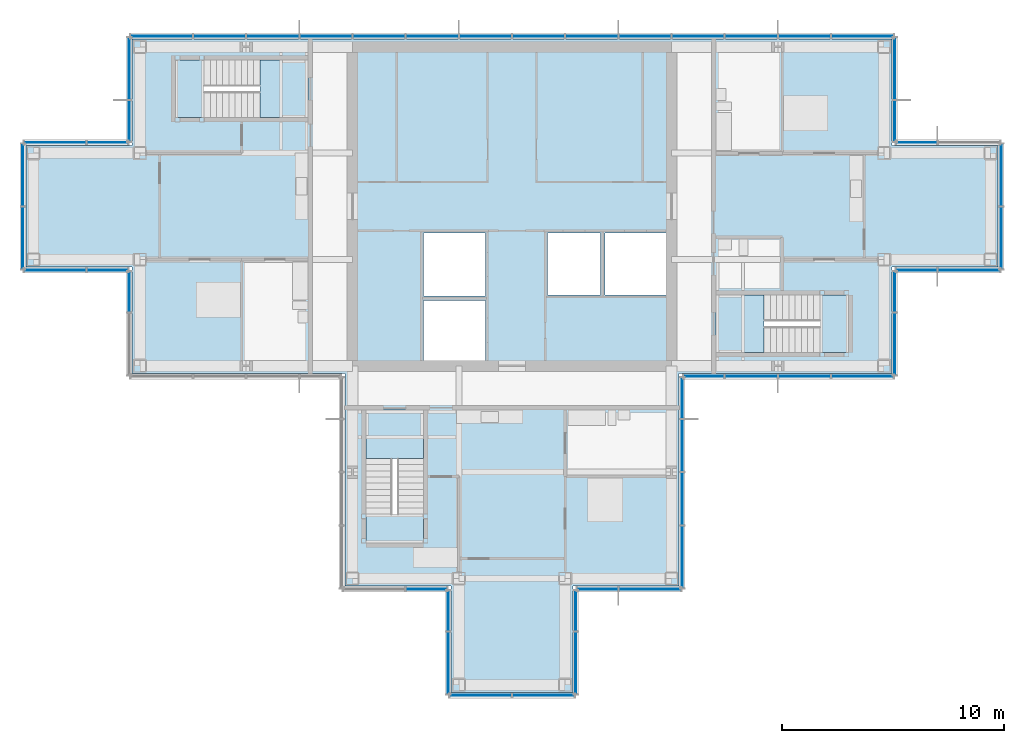
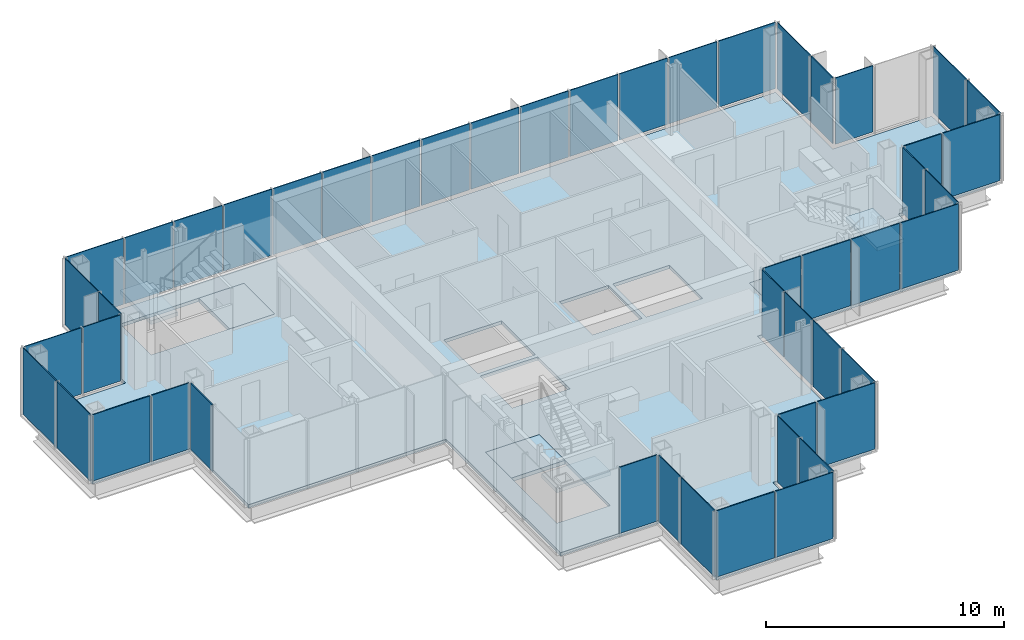
# One storey, part 9 of 15: 49 plates, 7 slabs, 21 elements without a shape of their own.
"""IFC4 building model written with IfcOpenShell, lengths in metres."""

from ifc_helpers import new_model, si_unit, direction, frame, origin, origin_2d, place, context, subcontext, project, spatial, polyline, rectangle, outline, extrude, material, layer, layer_set, type_object, element, aggregate, save


model = new_model("IFC4")

# Units and contexts
model_context = context("Model", 3, precision=1e-05, world=origin(), true_north=direction((0.0, 1.0)))
body_context = subcontext(model_context, "Body", "Model", "MODEL_VIEW")
ifc_project = project(units=[si_unit("LENGTHUNIT", "METRE"), si_unit("AREAUNIT", "SQUARE_METRE"), si_unit("VOLUMEUNIT", "CUBIC_METRE"), si_unit("PLANEANGLEUNIT", "RADIAN"), si_unit("MASSUNIT", "GRAM", prefix="KILO")], contexts=[model_context])

# Site, building, storey
site_placement = place(None, origin())
site = spatial("IfcSite", under=ifc_project, at=site_placement, CompositionType="ELEMENT")
building_placement = place(site_placement, origin())
building = spatial("IfcBuilding", under=site, at=building_placement, Name="Kvirike Care Tower", CompositionType="ELEMENT")
storey_placement = place(building_placement, frame((0.0, 0.0, 201.5)))
storey = spatial("IfcBuildingStorey", under=building, at=storey_placement, Name="L55", CompositionType="ELEMENT", Elevation=201.5)

# Slab
ifc_material_1 = material(Name="Concrete C35/45", Category="concrete")
ifc_layer_1 = layer(ifc_material_1, 0.169921875)
ifc_layer_set_1 = layer_set([ifc_layer_1], Name="FLOOR SLAB 170")
slab_type_1 = type_object("IfcSlabType", Name="FLOOR SLAB 170", PredefinedType="FLOOR", material=ifc_layer_set_1)
slab_1_placement = place(storey_placement, frame((0.0, 0.0, -0.169921875)))
element("IfcSlab", 1, at=slab_1_placement, inside=storey, type_object=slab_type_1, Name="Floor slab L55", PredefinedType="FLOOR", context=body_context, shape_type="SweptSolid", body=[
    extrude(outline(polyline([(29.14990234375, 28.449951171875), (38.75, 28.449951171875), (38.75, 33.25), (43.550048828125, 33.25), (43.550048828125, 38.75), (38.75, 38.75), (38.75, 43.550048828125), (4.449951171875, 43.550048828125), (4.449951171875, 38.75), (-0.35009765625, 38.75), (-0.35009765625, 33.25), (4.449951171875, 33.25), (4.449951171875, 28.449951171875), (14.050048828125, 28.449951171875), (14.050048828125, 18.85009765625), (18.85009765625, 18.85009765625), (18.85009765625, 14.050048828125), (24.35009765625, 14.050048828125), (24.35009765625, 18.85009765625), (29.14990234375, 18.85009765625), (29.14990234375, 28.449951171875)]), holes=[polyline([(17.60009765625, 29.050048828125), (17.60009765625, 31.75), (20.39990234375, 31.75), (20.39990234375, 29.050048828125), (17.60009765625, 29.050048828125)]), polyline([(17.60009765625, 31.949951171875), (17.60009765625, 34.800048828125), (20.39990234375, 34.800048828125), (20.39990234375, 31.949951171875), (17.60009765625, 31.949951171875)]), polyline([(23.199951171875, 32.0), (23.199951171875, 34.800048828125), (25.60009765625, 34.800048828125), (25.60009765625, 32.0), (23.199951171875, 32.0)]), polyline([(25.800048828125, 32.0), (25.800048828125, 34.800048828125), (28.550048828125, 34.800048828125), (28.550048828125, 32.0), (25.800048828125, 32.0)]), polyline([(12.39990234375, 42.60009765625), (12.39990234375, 40.0), (6.39990234375, 40.0), (6.39990234375, 42.60009765625), (12.39990234375, 42.60009765625)]), polyline([(30.800048828125, 29.39990234375), (30.800048828125, 32.0), (36.800048828125, 32.0), (36.800048828125, 29.39990234375), (30.800048828125, 29.39990234375)]), polyline([(15.0, 26.800048828125), (17.60009765625, 26.800048828125), (17.60009765625, 20.800048828125), (15.0, 20.800048828125), (15.0, 26.800048828125)])]), origin(), (0.0, 0.0, 1.0), 0.169921875),
])

# Stair, slabs
ifc_material_2 = material(Name="Concrete C35/45", Category="concrete")
stair_type = type_object("IfcStairType", Name="STAIR 20 RISERS", PredefinedType="HALF_TURN_STAIR", material=ifc_material_2)
stair_1_placement = place(storey_placement, origin())
stair_1 = element("IfcStair", 2, at=stair_1_placement, inside=storey, type_object=stair_type, Name="Stair 1 L55", PredefinedType="HALF_TURN_STAIR")
ifc_material_3 = material(Name="Concrete C35/45", Category="concrete")
ifc_layer_2 = layer(ifc_material_3, 0.199951171875)
ifc_layer_set_2 = layer_set([ifc_layer_2], Name="STAIR LANDING 200")
slab_type_2 = type_object("IfcSlabType", Name="STAIR LANDING 200", PredefinedType="LANDING", material=ifc_layer_set_2)
slab_2_placement = place(storey_placement, frame((0.0, 0.0, -0.199951171875)))
slab_2 = element("IfcSlab", 3, at=slab_2_placement, type_object=slab_type_2, Name="Stair S1 floor landing L55", PredefinedType="LANDING", context=body_context, shape_type="SweptSolid", body=[
    extrude(outline(polyline([(10.219970703125, 42.60009765625), (10.219970703125, 40.0), (12.39990234375, 40.0), (12.39990234375, 42.60009765625), (10.219970703125, 42.60009765625)])), origin(), (0.0, 0.0, 1.0), 0.199951171875),
])
slab_3_placement = place(storey_placement, frame((0.0, 0.0, 1.550048828125)))
slab_3 = element("IfcSlab", 4, at=slab_3_placement, type_object=slab_type_2, Name="Stair S1 half landing L55-L56", PredefinedType="LANDING", context=body_context, shape_type="SweptSolid", body=[
    extrude(outline(polyline([(6.39990234375, 42.60009765625), (6.39990234375, 40.0), (7.699951171875, 40.0), (7.699951171875, 42.60009765625), (6.39990234375, 42.60009765625)])), origin(), (0.0, 0.0, 1.0), 0.199951171875),
])
aggregate(stair_1, [slab_2, slab_3])

stair_2_placement = place(storey_placement, origin())
stair_2 = element("IfcStair", 5, at=stair_2_placement, inside=storey, type_object=stair_type, Name="Stair 2 L55", PredefinedType="HALF_TURN_STAIR")
slab_4_placement = place(storey_placement, frame((0.0, 0.0, -0.199951171875)))
slab_4 = element("IfcSlab", 6, at=slab_4_placement, type_object=slab_type_2, Name="Stair S2 floor landing L55", PredefinedType="LANDING", context=body_context, shape_type="SweptSolid", body=[
    extrude(outline(polyline([(32.97998046875, 29.39990234375), (32.97998046875, 32.0), (30.800048828125, 32.0), (30.800048828125, 29.39990234375), (32.97998046875, 29.39990234375)])), origin(), (0.0, 0.0, 1.0), 0.199951171875),
])
slab_5_placement = place(storey_placement, frame((0.0, 0.0, 1.550048828125)))
slab_5 = element("IfcSlab", 7, at=slab_5_placement, type_object=slab_type_2, Name="Stair S2 half landing L55-L56", PredefinedType="LANDING", context=body_context, shape_type="SweptSolid", body=[
    extrude(outline(polyline([(36.800048828125, 29.39990234375), (36.800048828125, 32.0), (35.5, 32.0), (35.5, 29.39990234375), (36.800048828125, 29.39990234375)])), origin(), (0.0, 0.0, 1.0), 0.199951171875),
])
aggregate(stair_2, [slab_4, slab_5])

stair_3_placement = place(storey_placement, origin())
stair_3 = element("IfcStair", 8, at=stair_3_placement, inside=storey, type_object=stair_type, Name="Stair 5 L55", PredefinedType="HALF_TURN_STAIR")
slab_6_placement = place(storey_placement, frame((0.0, 0.0, -0.199951171875)))
slab_6 = element("IfcSlab", 9, at=slab_6_placement, type_object=slab_type_2, Name="Stair S5 floor landing L55", PredefinedType="LANDING", context=body_context, shape_type="SweptSolid", body=[
    extrude(outline(polyline([(15.0, 24.6201171875), (17.60009765625, 24.6201171875), (17.60009765625, 26.800048828125), (15.0, 26.800048828125), (15.0, 24.6201171875)])), origin(), (0.0, 0.0, 1.0), 0.199951171875),
])
slab_7_placement = place(storey_placement, frame((0.0, 0.0, 1.550048828125)))
slab_7 = element("IfcSlab", 10, at=slab_7_placement, type_object=slab_type_2, Name="Stair S5 half landing L55-L56", PredefinedType="LANDING", context=body_context, shape_type="SweptSolid", body=[
    extrude(outline(polyline([(15.0, 20.800048828125), (17.60009765625, 20.800048828125), (17.60009765625, 22.10009765625), (15.0, 22.10009765625), (15.0, 20.800048828125)])), origin(), (0.0, 0.0, 1.0), 0.199951171875),
])
aggregate(stair_3, [slab_6, slab_7])

# Curtain wall, plates
ifc_material_4 = material(Name="Anodised aluminium stick system", Category="aluminium")
curtain_wall_type = type_object("IfcCurtainWallType", Name="CW-D STICK CURTAIN WALL", PredefinedType="NOTDEFINED", material=ifc_material_4)
curtain_wall_1_placement = place(storey_placement, origin())
curtain_wall_1 = element("IfcCurtainWall", 11, at=curtain_wall_1_placement, inside=storey, type_object=curtain_wall_type, Name="Curtain wall L55 face 1", PredefinedType="NOTDEFINED")
ifc_material_5 = material(Name="Tinted double glazed unit", Category="glass")
ifc_layer_3 = layer(ifc_material_5, 0.0439453125)
ifc_layer_set_3 = layer_set([ifc_layer_3], Name="TINTED VISION PANEL 44")
plate_type = type_object("IfcPlateType", Name="TINTED VISION PANEL 44", PredefinedType="CURTAIN_PANEL", material=ifc_layer_set_3)
plate_1_placement = place(storey_placement, frame((30.25634765625, 28.320068359375, 0.10009765625), z_axis=(0.0, 0.0, 1.0), x_axis=(1.0, 0.0, 0.0)))
plate_1 = element("IfcPlate", 12, at=plate_1_placement, type_object=plate_type, Name="CW-D panel L55 face 1.1", PredefinedType="CURTAIN_PANEL", context=body_context, shape_type="SweptSolid", body=[
    extrude(rectangle(XDim=1.822509765625, YDim=0.0439453125, at=origin_2d()), origin(), (0.0, 0.0, 1.0), 3.39990234375),
])
plate_2_placement = place(storey_placement, frame((32.39990234375, 28.320068359375, 0.10009765625), z_axis=(0.0, 0.0, 1.0), x_axis=(1.0, 0.0, 0.0)))
plate_2 = element("IfcPlate", 13, at=plate_2_placement, type_object=plate_type, Name="CW-D panel L55 face 1.2", PredefinedType="CURTAIN_PANEL", context=body_context, shape_type="SweptSolid", body=[
    extrude(rectangle(XDim=2.3349609375, YDim=0.0439453125, at=origin_2d()), origin(), (0.0, 0.0, 1.0), 3.39990234375),
])
plate_3_placement = place(storey_placement, frame((34.800048828125, 28.320068359375, 0.10009765625), z_axis=(0.0, 0.0, 1.0), x_axis=(1.0, 0.0, 0.0)))
plate_3 = element("IfcPlate", 14, at=plate_3_placement, type_object=plate_type, Name="CW-D panel L55 face 1.3", PredefinedType="CURTAIN_PANEL", context=body_context, shape_type="SweptSolid", body=[
    extrude(rectangle(XDim=2.3349609375, YDim=0.0439453125, at=origin_2d()), origin(), (0.0, 0.0, 1.0), 3.39990234375),
])
plate_4_placement = place(storey_placement, frame((37.423828125, 28.320068359375, 0.10009765625), z_axis=(0.0, 0.0, 1.0), x_axis=(1.0, 0.0, 0.0)))
plate_4 = element("IfcPlate", 15, at=plate_4_placement, type_object=plate_type, Name="CW-D panel L55 face 1.4", PredefinedType="CURTAIN_PANEL", context=body_context, shape_type="SweptSolid", body=[
    extrude(rectangle(XDim=2.782470703125, YDim=0.0439453125, at=origin_2d()), origin(), (0.0, 0.0, 1.0), 3.39990234375),
])
aggregate(curtain_wall_1, [plate_1, plate_2, plate_3, plate_4])

curtain_wall_2_placement = place(storey_placement, origin())
curtain_wall_2 = element("IfcCurtainWall", 16, at=curtain_wall_2_placement, inside=storey, type_object=curtain_wall_type, Name="Curtain wall L55 face 2", PredefinedType="NOTDEFINED")
plate_5_placement = place(storey_placement, frame((38.8798828125, 29.7763671875, 0.10009765625), z_axis=(0.0, 0.0, 1.0), x_axis=(0.0, 1.0, 0.0)))
plate_5 = element("IfcPlate", 17, at=plate_5_placement, type_object=plate_type, Name="CW-D panel L55 face 2.1", PredefinedType="CURTAIN_PANEL", context=body_context, shape_type="SweptSolid", body=[
    extrude(rectangle(XDim=2.782470703125, YDim=0.0439453125, at=origin_2d()), origin(), (0.0, 0.0, 1.0), 3.39990234375),
])
plate_6_placement = place(storey_placement, frame((38.8798828125, 32.143798828125, 0.10009765625), z_axis=(0.0, 0.0, 1.0), x_axis=(0.0, 1.0, 0.0)))
plate_6 = element("IfcPlate", 18, at=plate_6_placement, type_object=plate_type, Name="CW-D panel L55 face 2.2", PredefinedType="CURTAIN_PANEL", context=body_context, shape_type="SweptSolid", body=[
    extrude(rectangle(XDim=1.822509765625, YDim=0.0439453125, at=origin_2d()), origin(), (0.0, 0.0, 1.0), 3.39990234375),
])
aggregate(curtain_wall_2, [plate_5, plate_6])

curtain_wall_3_placement = place(storey_placement, origin())
curtain_wall_3 = element("IfcCurtainWall", 19, at=curtain_wall_3_placement, inside=storey, type_object=curtain_wall_type, Name="Curtain wall L55 face 3", PredefinedType="NOTDEFINED")
plate_7_placement = place(storey_placement, frame((39.856201171875, 33.1201171875, 0.10009765625), z_axis=(0.0, 0.0, 1.0), x_axis=(1.0, 0.0, 0.0)))
plate_7 = element("IfcPlate", 20, at=plate_7_placement, type_object=plate_type, Name="CW-D panel L55 face 3.1", PredefinedType="CURTAIN_PANEL", context=body_context, shape_type="SweptSolid", body=[
    extrude(rectangle(XDim=1.822509765625, YDim=0.0439453125, at=origin_2d()), origin(), (0.0, 0.0, 1.0), 3.39990234375),
])
plate_8_placement = place(storey_placement, frame((42.2236328125, 33.1201171875, 0.10009765625), z_axis=(0.0, 0.0, 1.0), x_axis=(1.0, 0.0, 0.0)))
plate_8 = element("IfcPlate", 21, at=plate_8_placement, type_object=plate_type, Name="CW-D panel L55 face 3.2", PredefinedType="CURTAIN_PANEL", context=body_context, shape_type="SweptSolid", body=[
    extrude(rectangle(XDim=2.782470703125, YDim=0.0439453125, at=origin_2d()), origin(), (0.0, 0.0, 1.0), 3.39990234375),
])
aggregate(curtain_wall_3, [plate_7, plate_8])

curtain_wall_4_placement = place(storey_placement, origin())
curtain_wall_4 = element("IfcCurtainWall", 22, at=curtain_wall_4_placement, inside=storey, type_object=curtain_wall_type, Name="Curtain wall L55 face 4", PredefinedType="NOTDEFINED")
plate_9_placement = place(storey_placement, frame((43.679931640625, 34.576171875, 0.10009765625), z_axis=(0.0, 0.0, 1.0), x_axis=(0.0, 1.0, 0.0)))
plate_9 = element("IfcPlate", 23, at=plate_9_placement, type_object=plate_type, Name="CW-D panel L55 face 4.1", PredefinedType="CURTAIN_PANEL", context=body_context, shape_type="SweptSolid", body=[
    extrude(rectangle(XDim=2.782470703125, YDim=0.0439453125, at=origin_2d()), origin(), (0.0, 0.0, 1.0), 3.39990234375),
])
plate_10_placement = place(storey_placement, frame((43.679931640625, 37.423828125, 0.10009765625), z_axis=(0.0, 0.0, 1.0), x_axis=(0.0, 1.0, 0.0)))
plate_10 = element("IfcPlate", 24, at=plate_10_placement, type_object=plate_type, Name="CW-D panel L55 face 4.2", PredefinedType="CURTAIN_PANEL", context=body_context, shape_type="SweptSolid", body=[
    extrude(rectangle(XDim=2.782470703125, YDim=0.0439453125, at=origin_2d()), origin(), (0.0, 0.0, 1.0), 3.39990234375),
])
aggregate(curtain_wall_4, [plate_9, plate_10])

# Curtain wall, plate
curtain_wall_5_placement = place(storey_placement, origin())
curtain_wall_5 = element("IfcCurtainWall", 25, at=curtain_wall_5_placement, inside=storey, type_object=curtain_wall_type, Name="Curtain wall L55 face 5", PredefinedType="NOTDEFINED")
plate_11_placement = place(storey_placement, frame((39.856201171875, 38.8798828125, 0.10009765625), z_axis=(0.0, 0.0, 1.0), x_axis=(-1.0, 0.0, 0.0)))
plate_11 = element("IfcPlate", 26, at=plate_11_placement, type_object=plate_type, Name="CW-D panel L55 face 5.2", PredefinedType="CURTAIN_PANEL", context=body_context, shape_type="SweptSolid", body=[
    extrude(rectangle(XDim=1.822509765625, YDim=0.0439453125, at=origin_2d()), origin(), (0.0, 0.0, 1.0), 3.39990234375),
])
aggregate(curtain_wall_5, [plate_11])

# Curtain wall, plates
curtain_wall_6_placement = place(storey_placement, origin())
curtain_wall_6 = element("IfcCurtainWall", 27, at=curtain_wall_6_placement, inside=storey, type_object=curtain_wall_type, Name="Curtain wall L55 face 6", PredefinedType="NOTDEFINED")
plate_12_placement = place(storey_placement, frame((38.8798828125, 39.856201171875, 0.10009765625), z_axis=(0.0, 0.0, 1.0), x_axis=(0.0, 1.0, 0.0)))
plate_12 = element("IfcPlate", 28, at=plate_12_placement, type_object=plate_type, Name="CW-D panel L55 face 6.1", PredefinedType="CURTAIN_PANEL", context=body_context, shape_type="SweptSolid", body=[
    extrude(rectangle(XDim=1.822509765625, YDim=0.0439453125, at=origin_2d()), origin(), (0.0, 0.0, 1.0), 3.39990234375),
])
plate_13_placement = place(storey_placement, frame((38.8798828125, 42.2236328125, 0.10009765625), z_axis=(0.0, 0.0, 1.0), x_axis=(0.0, 1.0, 0.0)))
plate_13 = element("IfcPlate", 29, at=plate_13_placement, type_object=plate_type, Name="CW-D panel L55 face 6.2", PredefinedType="CURTAIN_PANEL", context=body_context, shape_type="SweptSolid", body=[
    extrude(rectangle(XDim=2.782470703125, YDim=0.0439453125, at=origin_2d()), origin(), (0.0, 0.0, 1.0), 3.39990234375),
])
aggregate(curtain_wall_6, [plate_12, plate_13])

curtain_wall_7_placement = place(storey_placement, origin())
curtain_wall_7 = element("IfcCurtainWall", 30, at=curtain_wall_7_placement, inside=storey, type_object=curtain_wall_type, Name="Curtain wall L55 face 7", PredefinedType="NOTDEFINED")
plate_14_placement = place(storey_placement, frame((37.423828125, 43.679931640625, 0.10009765625), z_axis=(0.0, 0.0, 1.0), x_axis=(-1.0, 0.0, 0.0)))
plate_14 = element("IfcPlate", 31, at=plate_14_placement, type_object=plate_type, Name="CW-D panel L55 face 7.1", PredefinedType="CURTAIN_PANEL", context=body_context, shape_type="SweptSolid", body=[
    extrude(rectangle(XDim=2.782470703125, YDim=0.0439453125, at=origin_2d()), origin(), (0.0, 0.0, 1.0), 3.39990234375),
])
plate_15_placement = place(storey_placement, frame((34.800048828125, 43.679931640625, 0.10009765625), z_axis=(0.0, 0.0, 1.0), x_axis=(-1.0, 0.0, 0.0)))
plate_15 = element("IfcPlate", 32, at=plate_15_placement, type_object=plate_type, Name="CW-D panel L55 face 7.2", PredefinedType="CURTAIN_PANEL", context=body_context, shape_type="SweptSolid", body=[
    extrude(rectangle(XDim=2.3349609375, YDim=0.0439453125, at=origin_2d()), origin(), (0.0, 0.0, 1.0), 3.39990234375),
])
plate_16_placement = place(storey_placement, frame((32.39990234375, 43.679931640625, 0.10009765625), z_axis=(0.0, 0.0, 1.0), x_axis=(-1.0, 0.0, 0.0)))
plate_16 = element("IfcPlate", 33, at=plate_16_placement, type_object=plate_type, Name="CW-D panel L55 face 7.3", PredefinedType="CURTAIN_PANEL", context=body_context, shape_type="SweptSolid", body=[
    extrude(rectangle(XDim=2.3349609375, YDim=0.0439453125, at=origin_2d()), origin(), (0.0, 0.0, 1.0), 3.39990234375),
])
plate_17_placement = place(storey_placement, frame((30.0, 43.679931640625, 0.10009765625), z_axis=(0.0, 0.0, 1.0), x_axis=(-1.0, 0.0, 0.0)))
plate_17 = element("IfcPlate", 34, at=plate_17_placement, type_object=plate_type, Name="CW-D panel L55 face 7.4", PredefinedType="CURTAIN_PANEL", context=body_context, shape_type="SweptSolid", body=[
    extrude(rectangle(XDim=2.3349609375, YDim=0.0439453125, at=origin_2d()), origin(), (0.0, 0.0, 1.0), 3.39990234375),
])
plate_18_placement = place(storey_placement, frame((27.60009765625, 43.679931640625, 0.10009765625), z_axis=(0.0, 0.0, 1.0), x_axis=(-1.0, 0.0, 0.0)))
plate_18 = element("IfcPlate", 35, at=plate_18_placement, type_object=plate_type, Name="CW-D panel L55 face 7.5", PredefinedType="CURTAIN_PANEL", context=body_context, shape_type="SweptSolid", body=[
    extrude(rectangle(XDim=2.3349609375, YDim=0.0439453125, at=origin_2d()), origin(), (0.0, 0.0, 1.0), 3.39990234375),
])
plate_19_placement = place(storey_placement, frame((25.199951171875, 43.679931640625, 0.10009765625), z_axis=(0.0, 0.0, 1.0), x_axis=(-1.0, 0.0, 0.0)))
plate_19 = element("IfcPlate", 36, at=plate_19_placement, type_object=plate_type, Name="CW-D panel L55 face 7.6", PredefinedType="CURTAIN_PANEL", context=body_context, shape_type="SweptSolid", body=[
    extrude(rectangle(XDim=2.3349609375, YDim=0.0439453125, at=origin_2d()), origin(), (0.0, 0.0, 1.0), 3.39990234375),
])
plate_20_placement = place(storey_placement, frame((22.800048828125, 43.679931640625, 0.10009765625), z_axis=(0.0, 0.0, 1.0), x_axis=(-1.0, 0.0, 0.0)))
plate_20 = element("IfcPlate", 37, at=plate_20_placement, type_object=plate_type, Name="CW-D panel L55 face 7.7", PredefinedType="CURTAIN_PANEL", context=body_context, shape_type="SweptSolid", body=[
    extrude(rectangle(XDim=2.3349609375, YDim=0.0439453125, at=origin_2d()), origin(), (0.0, 0.0, 1.0), 3.39990234375),
])
plate_21_placement = place(storey_placement, frame((20.39990234375, 43.679931640625, 0.10009765625), z_axis=(0.0, 0.0, 1.0), x_axis=(-1.0, 0.0, 0.0)))
plate_21 = element("IfcPlate", 38, at=plate_21_placement, type_object=plate_type, Name="CW-D panel L55 face 7.8", PredefinedType="CURTAIN_PANEL", context=body_context, shape_type="SweptSolid", body=[
    extrude(rectangle(XDim=2.3349609375, YDim=0.0439453125, at=origin_2d()), origin(), (0.0, 0.0, 1.0), 3.39990234375),
])
plate_22_placement = place(storey_placement, frame((18.0, 43.679931640625, 0.10009765625), z_axis=(0.0, 0.0, 1.0), x_axis=(-1.0, 0.0, 0.0)))
plate_22 = element("IfcPlate", 39, at=plate_22_placement, type_object=plate_type, Name="CW-D panel L55 face 7.9", PredefinedType="CURTAIN_PANEL", context=body_context, shape_type="SweptSolid", body=[
    extrude(rectangle(XDim=2.3349609375, YDim=0.0439453125, at=origin_2d()), origin(), (0.0, 0.0, 1.0), 3.39990234375),
])
plate_23_placement = place(storey_placement, frame((15.60009765625, 43.679931640625, 0.10009765625), z_axis=(0.0, 0.0, 1.0), x_axis=(-1.0, 0.0, 0.0)))
plate_23 = element("IfcPlate", 40, at=plate_23_placement, type_object=plate_type, Name="CW-D panel L55 face 7.10", PredefinedType="CURTAIN_PANEL", context=body_context, shape_type="SweptSolid", body=[
    extrude(rectangle(XDim=2.3349609375, YDim=0.0439453125, at=origin_2d()), origin(), (0.0, 0.0, 1.0), 3.39990234375),
])
plate_24_placement = place(storey_placement, frame((13.199951171875, 43.679931640625, 0.10009765625), z_axis=(0.0, 0.0, 1.0), x_axis=(-1.0, 0.0, 0.0)))
plate_24 = element("IfcPlate", 41, at=plate_24_placement, type_object=plate_type, Name="CW-D panel L55 face 7.11", PredefinedType="CURTAIN_PANEL", context=body_context, shape_type="SweptSolid", body=[
    extrude(rectangle(XDim=2.3349609375, YDim=0.0439453125, at=origin_2d()), origin(), (0.0, 0.0, 1.0), 3.39990234375),
])
plate_25_placement = place(storey_placement, frame((10.800048828125, 43.679931640625, 0.10009765625), z_axis=(0.0, 0.0, 1.0), x_axis=(-1.0, 0.0, 0.0)))
plate_25 = element("IfcPlate", 42, at=plate_25_placement, type_object=plate_type, Name="CW-D panel L55 face 7.12", PredefinedType="CURTAIN_PANEL", context=body_context, shape_type="SweptSolid", body=[
    extrude(rectangle(XDim=2.3349609375, YDim=0.0439453125, at=origin_2d()), origin(), (0.0, 0.0, 1.0), 3.39990234375),
])
plate_26_placement = place(storey_placement, frame((8.39990234375, 43.679931640625, 0.10009765625), z_axis=(0.0, 0.0, 1.0), x_axis=(-1.0, 0.0, 0.0)))
plate_26 = element("IfcPlate", 43, at=plate_26_placement, type_object=plate_type, Name="CW-D panel L55 face 7.13", PredefinedType="CURTAIN_PANEL", context=body_context, shape_type="SweptSolid", body=[
    extrude(rectangle(XDim=2.3349609375, YDim=0.0439453125, at=origin_2d()), origin(), (0.0, 0.0, 1.0), 3.39990234375),
])
plate_27_placement = place(storey_placement, frame((5.7763671875, 43.679931640625, 0.10009765625), z_axis=(0.0, 0.0, 1.0), x_axis=(-1.0, 0.0, 0.0)))
plate_27 = element("IfcPlate", 44, at=plate_27_placement, type_object=plate_type, Name="CW-D panel L55 face 7.14", PredefinedType="CURTAIN_PANEL", context=body_context, shape_type="SweptSolid", body=[
    extrude(rectangle(XDim=2.782470703125, YDim=0.0439453125, at=origin_2d()), origin(), (0.0, 0.0, 1.0), 3.39990234375),
])
aggregate(curtain_wall_7, [plate_14, plate_15, plate_16, plate_17, plate_18, plate_19, plate_20, plate_21, plate_22, plate_23, plate_24, plate_25, plate_26, plate_27])

curtain_wall_8_placement = place(storey_placement, origin())
curtain_wall_8 = element("IfcCurtainWall", 45, at=curtain_wall_8_placement, inside=storey, type_object=curtain_wall_type, Name="Curtain wall L55 face 8", PredefinedType="NOTDEFINED")
plate_28_placement = place(storey_placement, frame((4.320068359375, 42.2236328125, 0.10009765625), z_axis=(0.0, 0.0, 1.0), x_axis=(0.0, -1.0, 0.0)))
plate_28 = element("IfcPlate", 46, at=plate_28_placement, type_object=plate_type, Name="CW-D panel L55 face 8.1", PredefinedType="CURTAIN_PANEL", context=body_context, shape_type="SweptSolid", body=[
    extrude(rectangle(XDim=2.782470703125, YDim=0.0439453125, at=origin_2d()), origin(), (0.0, 0.0, 1.0), 3.39990234375),
])
plate_29_placement = place(storey_placement, frame((4.320068359375, 39.856201171875, 0.10009765625), z_axis=(0.0, 0.0, 1.0), x_axis=(0.0, -1.0, 0.0)))
plate_29 = element("IfcPlate", 47, at=plate_29_placement, type_object=plate_type, Name="CW-D panel L55 face 8.2", PredefinedType="CURTAIN_PANEL", context=body_context, shape_type="SweptSolid", body=[
    extrude(rectangle(XDim=1.822509765625, YDim=0.0439453125, at=origin_2d()), origin(), (0.0, 0.0, 1.0), 3.39990234375),
])
aggregate(curtain_wall_8, [plate_28, plate_29])

curtain_wall_9_placement = place(storey_placement, origin())
curtain_wall_9 = element("IfcCurtainWall", 48, at=curtain_wall_9_placement, inside=storey, type_object=curtain_wall_type, Name="Curtain wall L55 face 9", PredefinedType="NOTDEFINED")
plate_30_placement = place(storey_placement, frame((3.34375, 38.8798828125, 0.10009765625), z_axis=(0.0, 0.0, 1.0), x_axis=(-1.0, 0.0, 0.0)))
plate_30 = element("IfcPlate", 49, at=plate_30_placement, type_object=plate_type, Name="CW-D panel L55 face 9.1", PredefinedType="CURTAIN_PANEL", context=body_context, shape_type="SweptSolid", body=[
    extrude(rectangle(XDim=1.822509765625, YDim=0.0439453125, at=origin_2d()), origin(), (0.0, 0.0, 1.0), 3.39990234375),
])
plate_31_placement = place(storey_placement, frame((0.976318359375, 38.8798828125, 0.10009765625), z_axis=(0.0, 0.0, 1.0), x_axis=(-1.0, 0.0, 0.0)))
plate_31 = element("IfcPlate", 50, at=plate_31_placement, type_object=plate_type, Name="CW-D panel L55 face 9.2", PredefinedType="CURTAIN_PANEL", context=body_context, shape_type="SweptSolid", body=[
    extrude(rectangle(XDim=2.782470703125, YDim=0.0439453125, at=origin_2d()), origin(), (0.0, 0.0, 1.0), 3.39990234375),
])
aggregate(curtain_wall_9, [plate_30, plate_31])

curtain_wall_10_placement = place(storey_placement, origin())
curtain_wall_10 = element("IfcCurtainWall", 51, at=curtain_wall_10_placement, inside=storey, type_object=curtain_wall_type, Name="Curtain wall L55 face 10", PredefinedType="NOTDEFINED")
plate_32_placement = place(storey_placement, frame((-0.47998046875, 37.423828125, 0.10009765625), z_axis=(0.0, 0.0, 1.0), x_axis=(0.0, -1.0, 0.0)))
plate_32 = element("IfcPlate", 52, at=plate_32_placement, type_object=plate_type, Name="CW-D panel L55 face 10.1", PredefinedType="CURTAIN_PANEL", context=body_context, shape_type="SweptSolid", body=[
    extrude(rectangle(XDim=2.782470703125, YDim=0.0439453125, at=origin_2d()), origin(), (0.0, 0.0, 1.0), 3.39990234375),
])
plate_33_placement = place(storey_placement, frame((-0.47998046875, 34.576171875, 0.10009765625), z_axis=(0.0, 0.0, 1.0), x_axis=(0.0, -1.0, 0.0)))
plate_33 = element("IfcPlate", 53, at=plate_33_placement, type_object=plate_type, Name="CW-D panel L55 face 10.2", PredefinedType="CURTAIN_PANEL", context=body_context, shape_type="SweptSolid", body=[
    extrude(rectangle(XDim=2.782470703125, YDim=0.0439453125, at=origin_2d()), origin(), (0.0, 0.0, 1.0), 3.39990234375),
])
aggregate(curtain_wall_10, [plate_32, plate_33])

curtain_wall_11_placement = place(storey_placement, origin())
curtain_wall_11 = element("IfcCurtainWall", 54, at=curtain_wall_11_placement, inside=storey, type_object=curtain_wall_type, Name="Curtain wall L55 face 11", PredefinedType="NOTDEFINED")
plate_34_placement = place(storey_placement, frame((0.976318359375, 33.1201171875, 0.10009765625), z_axis=(0.0, 0.0, 1.0), x_axis=(1.0, 0.0, 0.0)))
plate_34 = element("IfcPlate", 55, at=plate_34_placement, type_object=plate_type, Name="CW-D panel L55 face 11.1", PredefinedType="CURTAIN_PANEL", context=body_context, shape_type="SweptSolid", body=[
    extrude(rectangle(XDim=2.782470703125, YDim=0.0439453125, at=origin_2d()), origin(), (0.0, 0.0, 1.0), 3.39990234375),
])
plate_35_placement = place(storey_placement, frame((3.34375, 33.1201171875, 0.10009765625), z_axis=(0.0, 0.0, 1.0), x_axis=(1.0, 0.0, 0.0)))
plate_35 = element("IfcPlate", 56, at=plate_35_placement, type_object=plate_type, Name="CW-D panel L55 face 11.2", PredefinedType="CURTAIN_PANEL", context=body_context, shape_type="SweptSolid", body=[
    extrude(rectangle(XDim=1.822509765625, YDim=0.0439453125, at=origin_2d()), origin(), (0.0, 0.0, 1.0), 3.39990234375),
])
aggregate(curtain_wall_11, [plate_34, plate_35])

# Curtain wall, plate
curtain_wall_12_placement = place(storey_placement, origin())
curtain_wall_12 = element("IfcCurtainWall", 57, at=curtain_wall_12_placement, inside=storey, type_object=curtain_wall_type, Name="Curtain wall L55 face 12", PredefinedType="NOTDEFINED")
plate_36_placement = place(storey_placement, frame((4.320068359375, 32.143798828125, 0.10009765625), z_axis=(0.0, 0.0, 1.0), x_axis=(0.0, -1.0, 0.0)))
plate_36 = element("IfcPlate", 58, at=plate_36_placement, type_object=plate_type, Name="CW-D panel L55 face 12.1", PredefinedType="CURTAIN_PANEL", context=body_context, shape_type="SweptSolid", body=[
    extrude(rectangle(XDim=1.822509765625, YDim=0.0439453125, at=origin_2d()), origin(), (0.0, 0.0, 1.0), 3.39990234375),
])
aggregate(curtain_wall_12, [plate_36])

curtain_wall_13_placement = place(storey_placement, origin())
curtain_wall_13 = element("IfcCurtainWall", 59, at=curtain_wall_13_placement, inside=storey, type_object=curtain_wall_type, Name="Curtain wall L55 face 15", PredefinedType="NOTDEFINED")
plate_37_placement = place(storey_placement, frame((17.74365234375, 18.719970703125, 0.10009765625), z_axis=(0.0, 0.0, 1.0), x_axis=(1.0, 0.0, 0.0)))
plate_37 = element("IfcPlate", 60, at=plate_37_placement, type_object=plate_type, Name="CW-D panel L55 face 15.2", PredefinedType="CURTAIN_PANEL", context=body_context, shape_type="SweptSolid", body=[
    extrude(rectangle(XDim=1.822509765625, YDim=0.0439453125, at=origin_2d()), origin(), (0.0, 0.0, 1.0), 3.39990234375),
])
aggregate(curtain_wall_13, [plate_37])

# Curtain wall, plates
curtain_wall_14_placement = place(storey_placement, origin())
curtain_wall_14 = element("IfcCurtainWall", 61, at=curtain_wall_14_placement, inside=storey, type_object=curtain_wall_type, Name="Curtain wall L55 face 16", PredefinedType="NOTDEFINED")
plate_38_placement = place(storey_placement, frame((18.719970703125, 17.74365234375, 0.10009765625), z_axis=(0.0, 0.0, 1.0), x_axis=(0.0, -1.0, 0.0)))
plate_38 = element("IfcPlate", 62, at=plate_38_placement, type_object=plate_type, Name="CW-D panel L55 face 16.1", PredefinedType="CURTAIN_PANEL", context=body_context, shape_type="SweptSolid", body=[
    extrude(rectangle(XDim=1.822509765625, YDim=0.0439453125, at=origin_2d()), origin(), (0.0, 0.0, 1.0), 3.39990234375),
])
plate_39_placement = place(storey_placement, frame((18.719970703125, 15.376220703125, 0.10009765625), z_axis=(0.0, 0.0, 1.0), x_axis=(0.0, -1.0, 0.0)))
plate_39 = element("IfcPlate", 63, at=plate_39_placement, type_object=plate_type, Name="CW-D panel L55 face 16.2", PredefinedType="CURTAIN_PANEL", context=body_context, shape_type="SweptSolid", body=[
    extrude(rectangle(XDim=2.782470703125, YDim=0.0439453125, at=origin_2d()), origin(), (0.0, 0.0, 1.0), 3.39990234375),
])
aggregate(curtain_wall_14, [plate_38, plate_39])

curtain_wall_15_placement = place(storey_placement, origin())
curtain_wall_15 = element("IfcCurtainWall", 64, at=curtain_wall_15_placement, inside=storey, type_object=curtain_wall_type, Name="Curtain wall L55 face 17", PredefinedType="NOTDEFINED")
plate_40_placement = place(storey_placement, frame((20.17626953125, 13.919921875, 0.10009765625), z_axis=(0.0, 0.0, 1.0), x_axis=(1.0, 0.0, 0.0)))
plate_40 = element("IfcPlate", 65, at=plate_40_placement, type_object=plate_type, Name="CW-D panel L55 face 17.1", PredefinedType="CURTAIN_PANEL", context=body_context, shape_type="SweptSolid", body=[
    extrude(rectangle(XDim=2.782470703125, YDim=0.0439453125, at=origin_2d()), origin(), (0.0, 0.0, 1.0), 3.39990234375),
])
plate_41_placement = place(storey_placement, frame((23.023681640625, 13.919921875, 0.10009765625), z_axis=(0.0, 0.0, 1.0), x_axis=(1.0, 0.0, 0.0)))
plate_41 = element("IfcPlate", 66, at=plate_41_placement, type_object=plate_type, Name="CW-D panel L55 face 17.2", PredefinedType="CURTAIN_PANEL", context=body_context, shape_type="SweptSolid", body=[
    extrude(rectangle(XDim=2.782470703125, YDim=0.0439453125, at=origin_2d()), origin(), (0.0, 0.0, 1.0), 3.39990234375),
])
aggregate(curtain_wall_15, [plate_40, plate_41])

curtain_wall_16_placement = place(storey_placement, origin())
curtain_wall_16 = element("IfcCurtainWall", 67, at=curtain_wall_16_placement, inside=storey, type_object=curtain_wall_type, Name="Curtain wall L55 face 18", PredefinedType="NOTDEFINED")
plate_42_placement = place(storey_placement, frame((24.47998046875, 15.376220703125, 0.10009765625), z_axis=(0.0, 0.0, 1.0), x_axis=(0.0, 1.0, 0.0)))
plate_42 = element("IfcPlate", 68, at=plate_42_placement, type_object=plate_type, Name="CW-D panel L55 face 18.1", PredefinedType="CURTAIN_PANEL", context=body_context, shape_type="SweptSolid", body=[
    extrude(rectangle(XDim=2.782470703125, YDim=0.0439453125, at=origin_2d()), origin(), (0.0, 0.0, 1.0), 3.39990234375),
])
plate_43_placement = place(storey_placement, frame((24.47998046875, 17.74365234375, 0.10009765625), z_axis=(0.0, 0.0, 1.0), x_axis=(0.0, 1.0, 0.0)))
plate_43 = element("IfcPlate", 69, at=plate_43_placement, type_object=plate_type, Name="CW-D panel L55 face 18.2", PredefinedType="CURTAIN_PANEL", context=body_context, shape_type="SweptSolid", body=[
    extrude(rectangle(XDim=1.822509765625, YDim=0.0439453125, at=origin_2d()), origin(), (0.0, 0.0, 1.0), 3.39990234375),
])
aggregate(curtain_wall_16, [plate_42, plate_43])

curtain_wall_17_placement = place(storey_placement, origin())
curtain_wall_17 = element("IfcCurtainWall", 70, at=curtain_wall_17_placement, inside=storey, type_object=curtain_wall_type, Name="Curtain wall L55 face 19", PredefinedType="NOTDEFINED")
plate_44_placement = place(storey_placement, frame((25.456298828125, 18.719970703125, 0.10009765625), z_axis=(0.0, 0.0, 1.0), x_axis=(1.0, 0.0, 0.0)))
plate_44 = element("IfcPlate", 71, at=plate_44_placement, type_object=plate_type, Name="CW-D panel L55 face 19.1", PredefinedType="CURTAIN_PANEL", context=body_context, shape_type="SweptSolid", body=[
    extrude(rectangle(XDim=1.822509765625, YDim=0.0439453125, at=origin_2d()), origin(), (0.0, 0.0, 1.0), 3.39990234375),
])
plate_45_placement = place(storey_placement, frame((27.82373046875, 18.719970703125, 0.10009765625), z_axis=(0.0, 0.0, 1.0), x_axis=(1.0, 0.0, 0.0)))
plate_45 = element("IfcPlate", 72, at=plate_45_placement, type_object=plate_type, Name="CW-D panel L55 face 19.2", PredefinedType="CURTAIN_PANEL", context=body_context, shape_type="SweptSolid", body=[
    extrude(rectangle(XDim=2.782470703125, YDim=0.0439453125, at=origin_2d()), origin(), (0.0, 0.0, 1.0), 3.39990234375),
])
aggregate(curtain_wall_17, [plate_44, plate_45])

curtain_wall_18_placement = place(storey_placement, origin())
curtain_wall_18 = element("IfcCurtainWall", 73, at=curtain_wall_18_placement, inside=storey, type_object=curtain_wall_type, Name="Curtain wall L55 face 20", PredefinedType="NOTDEFINED")
plate_46_placement = place(storey_placement, frame((29.280029296875, 20.17626953125, 0.10009765625), z_axis=(0.0, 0.0, 1.0), x_axis=(0.0, 1.0, 0.0)))
plate_46 = element("IfcPlate", 74, at=plate_46_placement, type_object=plate_type, Name="CW-D panel L55 face 20.1", PredefinedType="CURTAIN_PANEL", context=body_context, shape_type="SweptSolid", body=[
    extrude(rectangle(XDim=2.782470703125, YDim=0.0439453125, at=origin_2d()), origin(), (0.0, 0.0, 1.0), 3.39990234375),
])
plate_47_placement = place(storey_placement, frame((29.280029296875, 22.800048828125, 0.10009765625), z_axis=(0.0, 0.0, 1.0), x_axis=(0.0, 1.0, 0.0)))
plate_47 = element("IfcPlate", 75, at=plate_47_placement, type_object=plate_type, Name="CW-D panel L55 face 20.2", PredefinedType="CURTAIN_PANEL", context=body_context, shape_type="SweptSolid", body=[
    extrude(rectangle(XDim=2.3349609375, YDim=0.0439453125, at=origin_2d()), origin(), (0.0, 0.0, 1.0), 3.39990234375),
])
plate_48_placement = place(storey_placement, frame((29.280029296875, 25.199951171875, 0.10009765625), z_axis=(0.0, 0.0, 1.0), x_axis=(0.0, 1.0, 0.0)))
plate_48 = element("IfcPlate", 76, at=plate_48_placement, type_object=plate_type, Name="CW-D panel L55 face 20.3", PredefinedType="CURTAIN_PANEL", context=body_context, shape_type="SweptSolid", body=[
    extrude(rectangle(XDim=2.3349609375, YDim=0.0439453125, at=origin_2d()), origin(), (0.0, 0.0, 1.0), 3.39990234375),
])
plate_49_placement = place(storey_placement, frame((29.280029296875, 27.34375, 0.10009765625), z_axis=(0.0, 0.0, 1.0), x_axis=(0.0, 1.0, 0.0)))
plate_49 = element("IfcPlate", 77, at=plate_49_placement, type_object=plate_type, Name="CW-D panel L55 face 20.4", PredefinedType="CURTAIN_PANEL", context=body_context, shape_type="SweptSolid", body=[
    extrude(rectangle(XDim=1.822509765625, YDim=0.0439453125, at=origin_2d()), origin(), (0.0, 0.0, 1.0), 3.39990234375),
])
aggregate(curtain_wall_18, [plate_46, plate_47, plate_48, plate_49])

save(model, "model.ifc")
